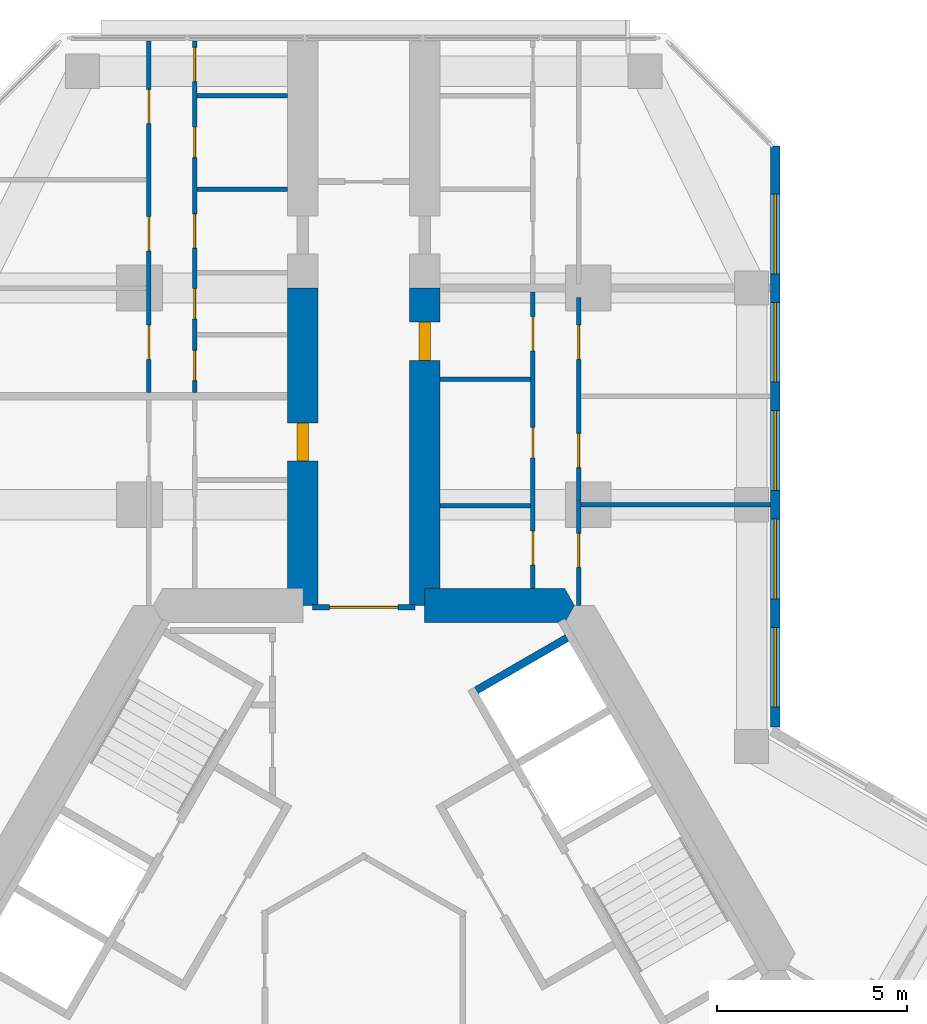
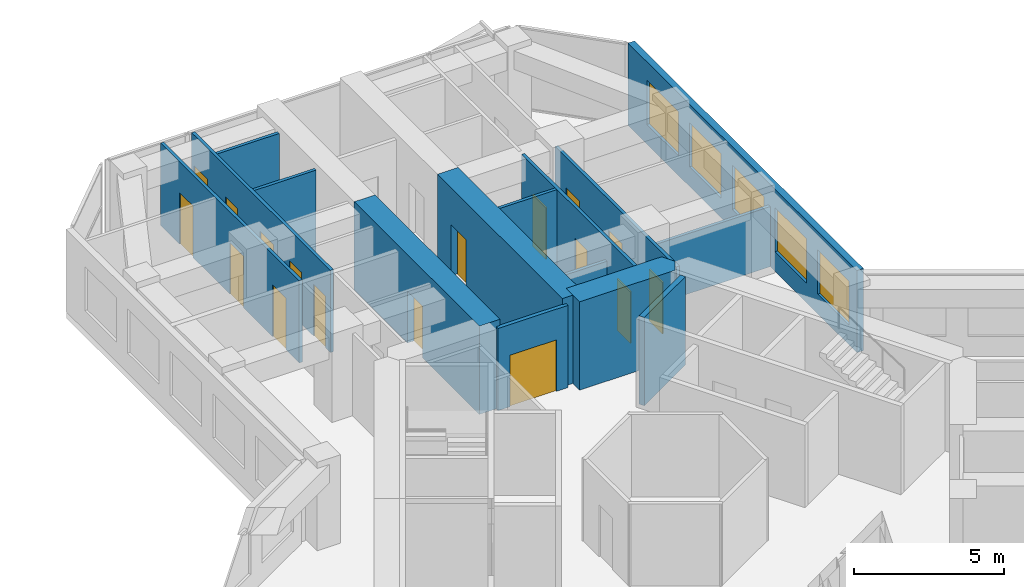
# One storey, part 17 of 19: 17 doors, 15 walls, 5 windows, 22 openings.
"""IFC4 building model written with IfcOpenShell, lengths in metres."""

from ifc_helpers import new_model, si_unit, direction, frame, frame_2d, origin, place, context, subcontext, project, spatial, polyline, rectangle, outline, extrude, material, layer, layer_set, type_object, element, fill, save


model = new_model("IFC4")

# Units and contexts
model_context = context("Model", 3, precision=1e-05, world=origin(), true_north=direction((0.0, 1.0)))
body_context = subcontext(model_context, "Body", "Model", "MODEL_VIEW")
ifc_project = project(units=[si_unit("LENGTHUNIT", "METRE"), si_unit("AREAUNIT", "SQUARE_METRE"), si_unit("VOLUMEUNIT", "CUBIC_METRE"), si_unit("PLANEANGLEUNIT", "RADIAN"), si_unit("MASSUNIT", "GRAM", prefix="KILO")], contexts=[model_context])

# Site, building, storey
site_placement = place(None, origin())
site = spatial("IfcSite", under=ifc_project, at=site_placement, CompositionType="ELEMENT")
building_placement = place(site_placement, origin())
building = spatial("IfcBuilding", under=site, at=building_placement, Name="Kosmar Iwan School Tower", CompositionType="ELEMENT")
storey_placement = place(building_placement, frame((0.0, 0.0, 158.0)))
storey = spatial("IfcBuildingStorey", under=building, at=storey_placement, Name="L39", CompositionType="ELEMENT", Elevation=158.0)

# Wall
ifc_material_1 = material(Name="Concrete C50/60", Category="concrete")
ifc_layer_1 = layer(ifc_material_1, 0.89990234375)
ifc_layer_set_1 = layer_set([ifc_layer_1], Name="Core wall 900")
wall_type_1 = type_object("IfcWallType", Name="Core wall 900", PredefinedType="SHEAR", material=ifc_layer_set_1)
wall_1_placement = place(storey_placement, origin())
element("IfcWall", 1, at=wall_1_placement, inside=storey, type_object=wall_type_1, Name="Core wall F090a", PredefinedType="SHEAR", context=body_context, shape_type="SweptSolid", body=[
    extrude(outline(polyline([(1.60009765625, 9.14990234375), (5.28271484375, 9.14990234375), (5.54248046875, 9.60009765625), (5.28271484375, 10.050048828125), (1.60009765625, 10.050048828125), (1.60009765625, 9.14990234375)])), origin(), (0.0, 0.0, 1.0), 3.60009765625),
])

# Wall, opening, door
ifc_material_2 = material(Name="Concrete C50/60", Category="concrete")
ifc_layer_2 = layer(ifc_material_2, 0.800048828125)
ifc_layer_set_2 = layer_set([ifc_layer_2], Name="Corridor buttress wall 800")
wall_type_2 = type_object("IfcWallType", Name="Corridor buttress wall 800", PredefinedType="SHEAR", material=ifc_layer_set_2)
wall_2_placement = place(storey_placement, frame((-1.60009765625, 9.60009765625, 0.0), z_axis=(0.0, 0.0, 1.0), x_axis=(0.0, 1.0, 0.0)))
wall_2 = element("IfcWall", 2, at=wall_2_placement, inside=storey, type_object=wall_type_2, Name="Corridor wall AL", PredefinedType="SHEAR", context=body_context, shape_type="SweptSolid", body=[
    extrude(rectangle(XDim=8.349853515625, YDim=0.800048828125, at=frame_2d((4.1748046875, 0.0))), origin(), (0.0, 0.0, 1.0), 3.60009765625),
])
opening_1_placement = place(wall_2_placement, frame((3.800048828125, 0.0, 0.0)))
opening_1 = element("IfcOpeningElement", 3, at=opening_1_placement, cuts=wall_2, Name="Opening D1", PredefinedType="OPENING", context=body_context, shape_type="SweptSolid", body=[
    extrude(rectangle(XDim=1.0, YDim=2.10009765625, at=frame_2d((0.5, 1.050048828125))), frame((0.0, 0.412109375, 0.0), z_axis=(0.0, -1.0, 0.0), x_axis=(1.0, 0.0, 0.0)), (0.0, 0.0, 1.0), 0.823974609375),
])
ifc_material_3 = material(Name="Timber fire door in steel frame", Category="steel")
door_type_1 = type_object("IfcDoorType", Name="Flat entrance door 1000x2100", OperationType="SINGLE_SWING_LEFT", PredefinedType="DOOR", material=ifc_material_3)
door_1_placement = place(opening_1_placement, origin())
door_1 = element("IfcDoor", 4, at=door_1_placement, inside=storey, type_object=door_type_1, Name="Flat L39-AL1 entrance door", OperationType="SINGLE_SWING_LEFT", OverallHeight=2.10009765625, OverallWidth=1.0, PredefinedType="DOOR", context=body_context, shape_type="SweptSolid", body=[
    extrude(rectangle(XDim=1.0, YDim=2.10009765625, at=frame_2d((0.5, 1.050048828125))), frame((0.0, 0.14990234375, 0.0), z_axis=(0.0, -1.0, 0.0), x_axis=(1.0, 0.0, 0.0)), (0.0, 0.0, 1.0), 0.300048828125),
])
fill(opening_1, door_1)

wall_3_placement = place(storey_placement, frame((1.60009765625, 9.60009765625, 0.0), z_axis=(0.0, 0.0, 1.0), x_axis=(0.0, 1.0, 0.0)))
wall_3 = element("IfcWall", 5, at=wall_3_placement, inside=storey, type_object=wall_type_2, Name="Corridor wall AR", PredefinedType="SHEAR", context=body_context, shape_type="SweptSolid", body=[
    extrude(rectangle(XDim=8.349853515625, YDim=0.800048828125, at=frame_2d((4.1748046875, 0.0))), origin(), (0.0, 0.0, 1.0), 3.60009765625),
])
opening_2_placement = place(wall_3_placement, frame((6.449951171875, 0.0, 0.0)))
opening_2 = element("IfcOpeningElement", 6, at=opening_2_placement, cuts=wall_3, Name="Opening D1", PredefinedType="OPENING", context=body_context, shape_type="SweptSolid", body=[
    extrude(rectangle(XDim=1.0, YDim=2.10009765625, at=frame_2d((0.5, 1.050048828125))), frame((0.0, 0.412109375, 0.0), z_axis=(0.0, -1.0, 0.0), x_axis=(1.0, 0.0, 0.0)), (0.0, 0.0, 1.0), 0.823974609375),
])
door_2_placement = place(opening_2_placement, origin())
door_2 = element("IfcDoor", 7, at=door_2_placement, inside=storey, type_object=door_type_1, Name="Flat L39-AR1 entrance door", OperationType="SINGLE_SWING_RIGHT", OverallHeight=2.10009765625, OverallWidth=1.0, PredefinedType="DOOR", context=body_context, shape_type="SweptSolid", body=[
    extrude(rectangle(XDim=1.0, YDim=2.10009765625, at=frame_2d((0.5, 1.050048828125))), frame((0.0, 0.14990234375, 0.0), z_axis=(0.0, -1.0, 0.0), x_axis=(1.0, 0.0, 0.0)), (0.0, 0.0, 1.0), 0.300048828125),
])
fill(opening_2, door_2)

ifc_material_4 = material(Name="Steel framed glazed screen", Category="steel")
ifc_layer_3 = layer(ifc_material_4, 0.14990234375)
ifc_layer_set_3 = layer_set([ifc_layer_3], Name="Corridor screen wall 150")
wall_type_3 = type_object("IfcWallType", Name="Corridor screen wall 150", PredefinedType="PARTITIONING", material=ifc_layer_set_3)
wall_4_placement = place(storey_placement, frame((1.35009765625, 9.550048828125, 0.0), z_axis=(0.0, 0.0, 1.0), x_axis=(-1.0, 0.0, 0.0)))
wall_4 = element("IfcWall", 8, at=wall_4_placement, inside=storey, type_object=wall_type_3, Name="Corridor screen A L39", PredefinedType="PARTITIONING", context=body_context, shape_type="SweptSolid", body=[
    extrude(rectangle(XDim=2.7001953125, YDim=0.14990234375, at=frame_2d((1.35009765625, 0.0))), origin(), (0.0, 0.0, 1.0), 3.35009765625),
])
opening_3_placement = place(wall_4_placement, frame((0.449951171875, 0.0, 0.0)))
opening_3 = element("IfcOpeningElement", 9, at=opening_3_placement, cuts=wall_4, Name="Opening D9", PredefinedType="OPENING", context=body_context, shape_type="SweptSolid", body=[
    extrude(rectangle(XDim=1.800048828125, YDim=2.10009765625, at=frame_2d((0.89990234375, 1.050048828125))), frame((0.0, 0.0869140625, 0.0), z_axis=(0.0, -1.0, 0.0), x_axis=(1.0, 0.0, 0.0)), (0.0, 0.0, 1.0), 0.173828125),
])
ifc_material_5 = material(Name="Steel framed glazed smoke door", Category="steel")
door_type_2 = type_object("IfcDoorType", Name="Corridor smoke door pair 1800x2100", OperationType="DOUBLE_DOOR_DOUBLE_SWING", PredefinedType="DOOR", material=ifc_material_5)
door_3_placement = place(opening_3_placement, origin())
door_3 = element("IfcDoor", 10, at=door_3_placement, inside=storey, type_object=door_type_2, Name="Corridor doors A L39", OperationType="DOUBLE_DOOR_DOUBLE_SWING", OverallHeight=2.10009765625, OverallWidth=1.800048828125, PredefinedType="DOOR", context=body_context, shape_type="SweptSolid", body=[
    extrude(rectangle(XDim=1.800048828125, YDim=2.10009765625, at=frame_2d((0.89990234375, 1.050048828125))), frame((0.0, 0.02490234375, 0.0), z_axis=(0.0, -1.0, 0.0), x_axis=(1.0, 0.0, 0.0)), (0.0, 0.0, 1.0), 0.050048828125),
])
fill(opening_3, door_3)

# Wall, openings, doors
ifc_material_6 = material(Name="Gypsum board on steel studs", Category="steel")
ifc_layer_4 = layer(ifc_material_6, 0.1201171875)
ifc_layer_set_4 = layer_set([ifc_layer_4], Name="Dwelling partition 120")
wall_type_4 = type_object("IfcWallType", Name="Dwelling partition 120", PredefinedType="PARTITIONING", material=ifc_layer_set_4)
wall_5_placement = place(storey_placement, frame((-4.449951171875, 15.199951171875, 0.0), z_axis=(0.0, 0.0, 1.0), x_axis=(0.0, 1.0, 0.0)))
wall_5 = element("IfcWall", 11, at=wall_5_placement, inside=storey, type_object=wall_type_4, Name="Partition L39-AL2-W1", PredefinedType="PARTITIONING", context=body_context, shape_type="SweptSolid", body=[
    extrude(rectangle(XDim=9.2451171875, YDim=0.1201171875, at=frame_2d((4.62255859375, 0.0))), origin(), (0.0, 0.0, 1.0), 3.35009765625),
])
opening_4_placement = place(wall_5_placement, frame((0.3125, 0.0, 0.0)))
opening_4 = element("IfcOpeningElement", 12, at=opening_4_placement, cuts=wall_5, Name="Opening D3", PredefinedType="OPENING", context=body_context, shape_type="SweptSolid", body=[
    extrude(rectangle(XDim=0.800048828125, YDim=2.10009765625, at=frame_2d((0.39990234375, 1.050048828125))), frame((0.0, 0.072021484375, 0.0), z_axis=(0.0, -1.0, 0.0), x_axis=(1.0, 0.0, 0.0)), (0.0, 0.0, 1.0), 0.14404296875),
])
opening_5_placement = place(wall_5_placement, frame((1.9375, 0.0, 0.0)))
opening_5 = element("IfcOpeningElement", 13, at=opening_5_placement, cuts=wall_5, Name="Opening D3", PredefinedType="OPENING", context=body_context, shape_type="SweptSolid", body=[
    extrude(rectangle(XDim=0.800048828125, YDim=2.10009765625, at=frame_2d((0.39990234375, 1.050048828125))), frame((0.0, 0.072021484375, 0.0), z_axis=(0.0, -1.0, 0.0), x_axis=(1.0, 0.0, 0.0)), (0.0, 0.0, 1.0), 0.14404296875),
])
opening_6_placement = place(wall_5_placement, frame((3.800048828125, 0.0, 0.0)))
opening_6 = element("IfcOpeningElement", 14, at=opening_6_placement, cuts=wall_5, Name="Opening D2", PredefinedType="OPENING", context=body_context, shape_type="SweptSolid", body=[
    extrude(rectangle(XDim=0.89990234375, YDim=2.10009765625, at=frame_2d((0.449951171875, 1.050048828125))), frame((0.0, 0.072021484375, 0.0), z_axis=(0.0, -1.0, 0.0), x_axis=(1.0, 0.0, 0.0)), (0.0, 0.0, 1.0), 0.14404296875),
])
opening_7_placement = place(wall_5_placement, frame((6.179931640625, 0.0, 0.0)))
opening_7 = element("IfcOpeningElement", 15, at=opening_7_placement, cuts=wall_5, Name="Opening D3", PredefinedType="OPENING", context=body_context, shape_type="SweptSolid", body=[
    extrude(rectangle(XDim=0.800048828125, YDim=2.10009765625, at=frame_2d((0.39990234375, 1.050048828125))), frame((0.0, 0.072021484375, 0.0), z_axis=(0.0, -1.0, 0.0), x_axis=(1.0, 0.0, 0.0)), (0.0, 0.0, 1.0), 0.14404296875),
])
opening_8_placement = place(wall_5_placement, frame((8.179931640625, 0.0, 0.0)))
opening_8 = element("IfcOpeningElement", 16, at=opening_8_placement, cuts=wall_5, Name="Opening D2", PredefinedType="OPENING", context=body_context, shape_type="SweptSolid", body=[
    extrude(rectangle(XDim=0.89990234375, YDim=2.10009765625, at=frame_2d((0.449951171875, 1.050048828125))), frame((0.0, 0.072021484375, 0.0), z_axis=(0.0, -1.0, 0.0), x_axis=(1.0, 0.0, 0.0)), (0.0, 0.0, 1.0), 0.14404296875),
])
ifc_material_7 = material(Name="Timber door in timber frame", Category="wood")
door_type_3 = type_object("IfcDoorType", Name="Internal door 900x2100", OperationType="SINGLE_SWING_LEFT", PredefinedType="DOOR", material=ifc_material_7)
door_4_placement = place(opening_6_placement, origin())
door_4 = element("IfcDoor", 17, at=door_4_placement, inside=storey, type_object=door_type_3, Name="Entrance hall door L39-AL2-S3", OperationType="SINGLE_SWING_LEFT", OverallHeight=2.10009765625, OverallWidth=0.89990234375, PredefinedType="DOOR", context=body_context, shape_type="SweptSolid", body=[
    extrude(rectangle(XDim=0.89990234375, YDim=2.10009765625, at=frame_2d((0.449951171875, 1.050048828125))), frame((0.0, 0.02490234375, 0.0), z_axis=(0.0, -1.0, 0.0), x_axis=(1.0, 0.0, 0.0)), (0.0, 0.0, 1.0), 0.050048828125),
])
fill(opening_6, door_4)
door_5_placement = place(opening_8_placement, origin())
door_5 = element("IfcDoor", 18, at=door_5_placement, inside=storey, type_object=door_type_3, Name="Pantry door L39-AL2-S5", OperationType="SINGLE_SWING_RIGHT", OverallHeight=2.10009765625, OverallWidth=0.89990234375, PredefinedType="DOOR", context=body_context, shape_type="SweptSolid", body=[
    extrude(rectangle(XDim=0.89990234375, YDim=2.10009765625, at=frame_2d((0.449951171875, 1.050048828125))), frame((0.0, 0.02490234375, 0.0), z_axis=(0.0, -1.0, 0.0), x_axis=(1.0, 0.0, 0.0)), (0.0, 0.0, 1.0), 0.050048828125),
])
fill(opening_8, door_5)
ifc_material_8 = material(Name="Timber door in timber frame", Category="wood")
door_type_4 = type_object("IfcDoorType", Name="Sanitary room door 800x2100", OperationType="SINGLE_SWING_LEFT", PredefinedType="DOOR", material=ifc_material_8)
door_6_placement = place(opening_4_placement, origin())
door_6 = element("IfcDoor", 19, at=door_6_placement, inside=storey, type_object=door_type_4, Name="WC door L39-AL2-S1", OperationType="SINGLE_SWING_LEFT", OverallHeight=2.10009765625, OverallWidth=0.800048828125, PredefinedType="DOOR", context=body_context, shape_type="SweptSolid", body=[
    extrude(rectangle(XDim=0.800048828125, YDim=2.10009765625, at=frame_2d((0.39990234375, 1.050048828125))), frame((0.0, 0.02490234375, 0.0), z_axis=(0.0, -1.0, 0.0), x_axis=(1.0, 0.0, 0.0)), (0.0, 0.0, 1.0), 0.050048828125),
])
fill(opening_4, door_6)
door_7_placement = place(opening_5_placement, origin())
door_7 = element("IfcDoor", 20, at=door_7_placement, inside=storey, type_object=door_type_4, Name="Shower room door L39-AL2-S2", OperationType="SINGLE_SWING_LEFT", OverallHeight=2.10009765625, OverallWidth=0.800048828125, PredefinedType="DOOR", context=body_context, shape_type="SweptSolid", body=[
    extrude(rectangle(XDim=0.800048828125, YDim=2.10009765625, at=frame_2d((0.39990234375, 1.050048828125))), frame((0.0, 0.02490234375, 0.0), z_axis=(0.0, -1.0, 0.0), x_axis=(1.0, 0.0, 0.0)), (0.0, 0.0, 1.0), 0.050048828125),
])
fill(opening_5, door_7)
door_8_placement = place(opening_7_placement, origin())
door_8 = element("IfcDoor", 21, at=door_8_placement, inside=storey, type_object=door_type_4, Name="Bathroom door L39-AL2-S4", OperationType="SINGLE_SWING_RIGHT", OverallHeight=2.10009765625, OverallWidth=0.800048828125, PredefinedType="DOOR", context=body_context, shape_type="SweptSolid", body=[
    extrude(rectangle(XDim=0.800048828125, YDim=2.10009765625, at=frame_2d((0.39990234375, 1.050048828125))), frame((0.0, 0.02490234375, 0.0), z_axis=(0.0, -1.0, 0.0), x_axis=(1.0, 0.0, 0.0)), (0.0, 0.0, 1.0), 0.050048828125),
])
fill(opening_7, door_8)

wall_6_placement = place(storey_placement, frame((-5.64990234375, 15.199951171875, 0.0), z_axis=(0.0, 0.0, 1.0), x_axis=(0.0, 1.0, 0.0)))
wall_6 = element("IfcWall", 22, at=wall_6_placement, inside=storey, type_object=wall_type_4, Name="Partition L39-AL2-W2", PredefinedType="PARTITIONING", context=body_context, shape_type="SweptSolid", body=[
    extrude(rectangle(XDim=9.2451171875, YDim=0.1201171875, at=frame_2d((4.62255859375, 0.0))), origin(), (0.0, 0.0, 1.0), 3.35009765625),
])
opening_9_placement = place(wall_6_placement, frame((0.875, 0.0, 0.0)))
opening_9 = element("IfcOpeningElement", 23, at=opening_9_placement, cuts=wall_6, Name="Opening D2", PredefinedType="OPENING", context=body_context, shape_type="SweptSolid", body=[
    extrude(rectangle(XDim=0.89990234375, YDim=2.10009765625, at=frame_2d((0.449951171875, 1.050048828125))), frame((0.0, 0.072021484375, 0.0), z_axis=(0.0, -1.0, 0.0), x_axis=(1.0, 0.0, 0.0)), (0.0, 0.0, 1.0), 0.14404296875),
])
opening_10_placement = place(wall_6_placement, frame((3.72509765625, 0.0, 0.0)))
opening_10 = element("IfcOpeningElement", 24, at=opening_10_placement, cuts=wall_6, Name="Opening D2", PredefinedType="OPENING", context=body_context, shape_type="SweptSolid", body=[
    extrude(rectangle(XDim=0.89990234375, YDim=2.10009765625, at=frame_2d((0.449951171875, 1.050048828125))), frame((0.0, 0.072021484375, 0.0), z_axis=(0.0, -1.0, 0.0), x_axis=(1.0, 0.0, 0.0)), (0.0, 0.0, 1.0), 0.14404296875),
])
opening_11_placement = place(wall_6_placement, frame((7.074951171875, 0.0, 0.0)))
opening_11 = element("IfcOpeningElement", 25, at=opening_11_placement, cuts=wall_6, Name="Opening D2", PredefinedType="OPENING", context=body_context, shape_type="SweptSolid", body=[
    extrude(rectangle(XDim=0.89990234375, YDim=2.10009765625, at=frame_2d((0.449951171875, 1.050048828125))), frame((0.0, 0.072021484375, 0.0), z_axis=(0.0, -1.0, 0.0), x_axis=(1.0, 0.0, 0.0)), (0.0, 0.0, 1.0), 0.14404296875),
])
door_9_placement = place(opening_9_placement, origin())
door_9 = element("IfcDoor", 26, at=door_9_placement, inside=storey, type_object=door_type_3, Name="Bedroom 1 door L39-AL2-F1", OperationType="SINGLE_SWING_RIGHT", OverallHeight=2.10009765625, OverallWidth=0.89990234375, PredefinedType="DOOR", context=body_context, shape_type="SweptSolid", body=[
    extrude(rectangle(XDim=0.89990234375, YDim=2.10009765625, at=frame_2d((0.449951171875, 1.050048828125))), frame((0.0, 0.02490234375, 0.0), z_axis=(0.0, -1.0, 0.0), x_axis=(1.0, 0.0, 0.0)), (0.0, 0.0, 1.0), 0.050048828125),
])
fill(opening_9, door_9)
door_10_placement = place(opening_10_placement, origin())
door_10 = element("IfcDoor", 27, at=door_10_placement, inside=storey, type_object=door_type_3, Name="Family room and kitchen door L39-AL2-F2", OperationType="SINGLE_SWING_LEFT", OverallHeight=2.10009765625, OverallWidth=0.89990234375, PredefinedType="DOOR", context=body_context, shape_type="SweptSolid", body=[
    extrude(rectangle(XDim=0.89990234375, YDim=2.10009765625, at=frame_2d((0.449951171875, 1.050048828125))), frame((0.0, 0.02490234375, 0.0), z_axis=(0.0, -1.0, 0.0), x_axis=(1.0, 0.0, 0.0)), (0.0, 0.0, 1.0), 0.050048828125),
])
fill(opening_10, door_10)
door_11_placement = place(opening_11_placement, origin())
door_11 = element("IfcDoor", 28, at=door_11_placement, inside=storey, type_object=door_type_3, Name="Bedroom 2 door L39-AL2-F3", OperationType="SINGLE_SWING_RIGHT", OverallHeight=2.10009765625, OverallWidth=0.89990234375, PredefinedType="DOOR", context=body_context, shape_type="SweptSolid", body=[
    extrude(rectangle(XDim=0.89990234375, YDim=2.10009765625, at=frame_2d((0.449951171875, 1.050048828125))), frame((0.0, 0.02490234375, 0.0), z_axis=(0.0, -1.0, 0.0), x_axis=(1.0, 0.0, 0.0)), (0.0, 0.0, 1.0), 0.050048828125),
])
fill(opening_11, door_11)

# Walls
for number, where, z_axis, x_axis, name in (
    (29, (-2.0, 20.550048828125, 0.0), (0.0, 0.0, 1.0), (-1.0, 0.0, 0.0), "Partition L39-AL2-Y3"),
    (30, (-2.0, 23.010009765625, 0.0), (0.0, 0.0, 1.0), (-1.0, 0.0, 0.0), "Partition L39-AL2-Y4"),
):
    element("IfcWall", number, at=place(storey_placement, frame(where, z_axis=z_axis, x_axis=x_axis)), inside=storey, type_object=wall_type_4, Name=name, PredefinedType="PARTITIONING", context=body_context, shape_type="SweptSolid", body=[
        extrude(rectangle(XDim=2.389892578125, YDim=0.1201171875, at=frame_2d((1.19482421875, 0.0))), origin(), (0.0, 0.0, 1.0), 3.35009765625),
    ])

# Wall, openings, doors
wall_7_placement = place(storey_placement, frame((4.449951171875, 10.050048828125, 0.0), z_axis=(0.0, 0.0, 1.0), x_axis=(0.0, 1.0, 0.0)))
wall_7 = element("IfcWall", 31, at=wall_7_placement, inside=storey, type_object=wall_type_4, Name="Partition L39-AR1-W1", PredefinedType="PARTITIONING", context=body_context, shape_type="SweptSolid", body=[
    extrude(rectangle(XDim=7.800048828125, YDim=0.1201171875, at=frame_2d((3.89990234375, 0.0))), origin(), (0.0, 0.0, 1.0), 3.35009765625),
])
opening_12_placement = place(wall_7_placement, frame((0.610107421875, 0.0, 0.0)))
opening_12 = element("IfcOpeningElement", 32, at=opening_12_placement, cuts=wall_7, Name="Opening D2", PredefinedType="OPENING", context=body_context, shape_type="SweptSolid", body=[
    extrude(rectangle(XDim=0.89990234375, YDim=2.10009765625, at=frame_2d((0.449951171875, 1.050048828125))), frame((0.0, 0.072021484375, 0.0), z_axis=(0.0, -1.0, 0.0), x_axis=(1.0, 0.0, 0.0)), (0.0, 0.0, 1.0), 0.14404296875),
])
opening_13_placement = place(wall_7_placement, frame((3.43505859375, 0.0, 0.0)))
opening_13 = element("IfcOpeningElement", 33, at=opening_13_placement, cuts=wall_7, Name="Opening D3", PredefinedType="OPENING", context=body_context, shape_type="SweptSolid", body=[
    extrude(rectangle(XDim=0.800048828125, YDim=2.10009765625, at=frame_2d((0.39990234375, 1.050048828125))), frame((0.0, 0.072021484375, 0.0), z_axis=(0.0, -1.0, 0.0), x_axis=(1.0, 0.0, 0.0)), (0.0, 0.0, 1.0), 0.14404296875),
])
opening_14_placement = place(wall_7_placement, frame((6.25, 0.0, 0.0)))
opening_14 = element("IfcOpeningElement", 34, at=opening_14_placement, cuts=wall_7, Name="Opening D2", PredefinedType="OPENING", context=body_context, shape_type="SweptSolid", body=[
    extrude(rectangle(XDim=0.89990234375, YDim=2.10009765625, at=frame_2d((0.449951171875, 1.050048828125))), frame((0.0, 0.072021484375, 0.0), z_axis=(0.0, -1.0, 0.0), x_axis=(1.0, 0.0, 0.0)), (0.0, 0.0, 1.0), 0.14404296875),
])
door_12_placement = place(opening_12_placement, origin())
door_12 = element("IfcDoor", 35, at=door_12_placement, inside=storey, type_object=door_type_3, Name="Pantry door L39-AR1-S1", OperationType="SINGLE_SWING_RIGHT", OverallHeight=2.10009765625, OverallWidth=0.89990234375, PredefinedType="DOOR", context=body_context, shape_type="SweptSolid", body=[
    extrude(rectangle(XDim=0.89990234375, YDim=2.10009765625, at=frame_2d((0.449951171875, 1.050048828125))), frame((0.0, 0.02490234375, 0.0), z_axis=(0.0, -1.0, 0.0), x_axis=(1.0, 0.0, 0.0)), (0.0, 0.0, 1.0), 0.050048828125),
])
fill(opening_12, door_12)
door_13_placement = place(opening_14_placement, origin())
door_13 = element("IfcDoor", 36, at=door_13_placement, inside=storey, type_object=door_type_3, Name="Entrance hall door L39-AR1-S3", OperationType="SINGLE_SWING_RIGHT", OverallHeight=2.10009765625, OverallWidth=0.89990234375, PredefinedType="DOOR", context=body_context, shape_type="SweptSolid", body=[
    extrude(rectangle(XDim=0.89990234375, YDim=2.10009765625, at=frame_2d((0.449951171875, 1.050048828125))), frame((0.0, 0.02490234375, 0.0), z_axis=(0.0, -1.0, 0.0), x_axis=(1.0, 0.0, 0.0)), (0.0, 0.0, 1.0), 0.050048828125),
])
fill(opening_14, door_13)
door_14_placement = place(opening_13_placement, origin())
door_14 = element("IfcDoor", 37, at=door_14_placement, inside=storey, type_object=door_type_4, Name="Bathroom door L39-AR1-S2", OperationType="SINGLE_SWING_LEFT", OverallHeight=2.10009765625, OverallWidth=0.800048828125, PredefinedType="DOOR", context=body_context, shape_type="SweptSolid", body=[
    extrude(rectangle(XDim=0.800048828125, YDim=2.10009765625, at=frame_2d((0.39990234375, 1.050048828125))), frame((0.0, 0.02490234375, 0.0), z_axis=(0.0, -1.0, 0.0), x_axis=(1.0, 0.0, 0.0)), (0.0, 0.0, 1.0), 0.050048828125),
])
fill(opening_13, door_14)

wall_8_placement = place(storey_placement, frame((5.64990234375, 9.60009765625, 0.0), z_axis=(0.0, 0.0, 1.0), x_axis=(0.0, 1.0, 0.0)))
wall_8 = element("IfcWall", 38, at=wall_8_placement, inside=storey, type_object=wall_type_4, Name="Partition L39-AR1-W2", PredefinedType="PARTITIONING", context=body_context, shape_type="SweptSolid", body=[
    extrude(rectangle(XDim=8.099853515625, YDim=0.1201171875, at=frame_2d((4.0498046875, 0.0))), origin(), (0.0, 0.0, 1.0), 3.35009765625),
])
opening_15_placement = place(wall_8_placement, frame((1.0, 0.0, 0.0)))
opening_15 = element("IfcOpeningElement", 39, at=opening_15_placement, cuts=wall_8, Name="Opening D2", PredefinedType="OPENING", context=body_context, shape_type="SweptSolid", body=[
    extrude(rectangle(XDim=0.89990234375, YDim=2.10009765625, at=frame_2d((0.449951171875, 1.050048828125))), frame((0.0, 0.072021484375, 0.0), z_axis=(0.0, -1.0, 0.0), x_axis=(1.0, 0.0, 0.0)), (0.0, 0.0, 1.0), 0.14404296875),
])
opening_16_placement = place(wall_8_placement, frame((3.625, 0.0, 0.0)))
opening_16 = element("IfcOpeningElement", 40, at=opening_16_placement, cuts=wall_8, Name="Opening D2", PredefinedType="OPENING", context=body_context, shape_type="SweptSolid", body=[
    extrude(rectangle(XDim=0.89990234375, YDim=2.10009765625, at=frame_2d((0.449951171875, 1.050048828125))), frame((0.0, 0.072021484375, 0.0), z_axis=(0.0, -1.0, 0.0), x_axis=(1.0, 0.0, 0.0)), (0.0, 0.0, 1.0), 0.14404296875),
])
opening_17_placement = place(wall_8_placement, frame((6.47509765625, 0.0, 0.0)))
opening_17 = element("IfcOpeningElement", 41, at=opening_17_placement, cuts=wall_8, Name="Opening D2", PredefinedType="OPENING", context=body_context, shape_type="SweptSolid", body=[
    extrude(rectangle(XDim=0.89990234375, YDim=2.10009765625, at=frame_2d((0.449951171875, 1.050048828125))), frame((0.0, 0.072021484375, 0.0), z_axis=(0.0, -1.0, 0.0), x_axis=(1.0, 0.0, 0.0)), (0.0, 0.0, 1.0), 0.14404296875),
])
door_15_placement = place(opening_15_placement, origin())
door_15 = element("IfcDoor", 42, at=door_15_placement, inside=storey, type_object=door_type_3, Name="Family room and kitchen door L39-AR1-F1", OperationType="SINGLE_SWING_LEFT", OverallHeight=2.10009765625, OverallWidth=0.89990234375, PredefinedType="DOOR", context=body_context, shape_type="SweptSolid", body=[
    extrude(rectangle(XDim=0.89990234375, YDim=2.10009765625, at=frame_2d((0.449951171875, 1.050048828125))), frame((0.0, 0.02490234375, 0.0), z_axis=(0.0, -1.0, 0.0), x_axis=(1.0, 0.0, 0.0)), (0.0, 0.0, 1.0), 0.050048828125),
])
fill(opening_15, door_15)
door_16_placement = place(opening_16_placement, origin())
door_16 = element("IfcDoor", 43, at=door_16_placement, inside=storey, type_object=door_type_3, Name="Study door L39-AR1-F2", OperationType="SINGLE_SWING_LEFT", OverallHeight=2.10009765625, OverallWidth=0.89990234375, PredefinedType="DOOR", context=body_context, shape_type="SweptSolid", body=[
    extrude(rectangle(XDim=0.89990234375, YDim=2.10009765625, at=frame_2d((0.449951171875, 1.050048828125))), frame((0.0, 0.02490234375, 0.0), z_axis=(0.0, -1.0, 0.0), x_axis=(1.0, 0.0, 0.0)), (0.0, 0.0, 1.0), 0.050048828125),
])
fill(opening_16, door_16)
door_17_placement = place(opening_17_placement, origin())
door_17 = element("IfcDoor", 44, at=door_17_placement, inside=storey, type_object=door_type_3, Name="Bedroom 1 door L39-AR1-F3", OperationType="SINGLE_SWING_RIGHT", OverallHeight=2.10009765625, OverallWidth=0.89990234375, PredefinedType="DOOR", context=body_context, shape_type="SweptSolid", body=[
    extrude(rectangle(XDim=0.89990234375, YDim=2.10009765625, at=frame_2d((0.449951171875, 1.050048828125))), frame((0.0, 0.02490234375, 0.0), z_axis=(0.0, -1.0, 0.0), x_axis=(1.0, 0.0, 0.0)), (0.0, 0.0, 1.0), 0.050048828125),
])
fill(opening_17, door_17)

# Walls
wall_9_placement = place(storey_placement, frame((5.7099609375, 12.25, 0.0), z_axis=(0.0, 0.0, 1.0), x_axis=(1.0, 0.0, 0.0)))
element("IfcWall", 45, at=wall_9_placement, inside=storey, type_object=wall_type_4, Name="Partition L39-AR1-X1", PredefinedType="PARTITIONING", context=body_context, shape_type="SweptSolid", body=[
    extrude(rectangle(XDim=4.989990234375, YDim=0.1201171875, at=frame_2d((2.4951171875, 0.0))), origin(), (0.0, 0.0, 1.0), 2.449951171875),
])
wall_10_placement = place(storey_placement, frame((2.0, 12.219970703125, 0.0), z_axis=(0.0, 0.0, 1.0), x_axis=(1.0, 0.0, 0.0)))
element("IfcWall", 46, at=wall_10_placement, inside=storey, type_object=wall_type_4, Name="Partition L39-AR1-Y1", PredefinedType="PARTITIONING", context=body_context, shape_type="SweptSolid", body=[
    extrude(rectangle(XDim=2.389892578125, YDim=0.1201171875, at=frame_2d((1.19482421875, 0.0))), origin(), (0.0, 0.0, 1.0), 2.449951171875),
])
wall_11_placement = place(storey_placement, frame((2.0, 15.550048828125, 0.0), z_axis=(0.0, 0.0, 1.0), x_axis=(1.0, 0.0, 0.0)))
element("IfcWall", 47, at=wall_11_placement, inside=storey, type_object=wall_type_4, Name="Partition L39-AR1-Y2", PredefinedType="PARTITIONING", context=body_context, shape_type="SweptSolid", body=[
    extrude(rectangle(XDim=2.389892578125, YDim=0.1201171875, at=frame_2d((1.19482421875, 0.0))), origin(), (0.0, 0.0, 1.0), 3.35009765625),
])

# Wall, openings, windows
ifc_material_9 = material(Name="Black aluminium rainscreen on insulated framing", Category="aluminium")
ifc_layer_5 = layer(ifc_material_9, 0.25)
ifc_layer_set_5 = layer_set([ifc_layer_5], Name="External wall rainscreen 250")
wall_type_5 = type_object("IfcWallType", Name="External wall rainscreen 250", PredefinedType="SOLIDWALL", material=ifc_layer_set_5)
wall_12_placement = place(storey_placement, frame((10.824951171875, 6.408935546875, 0.0), z_axis=(0.0, 0.0, 1.0), x_axis=(0.0, 1.0, 0.0)))
wall_12 = element("IfcWall", 48, at=wall_12_placement, inside=storey, type_object=wall_type_5, Name="External wall AR L39", PredefinedType="SOLIDWALL", context=body_context, shape_type="SweptSolid", body=[
    extrude(rectangle(XDim=15.2763671875, YDim=0.25, at=frame_2d((7.63818359375, 0.0))), origin(), (0.0, 0.0, 1.0), 3.35009765625),
])
opening_18_placement = place(wall_12_placement, frame((0.51611328125, 0.0, 0.800048828125)))
opening_18 = element("IfcOpeningElement", 49, at=opening_18_placement, cuts=wall_12, Name="Opening W4", PredefinedType="OPENING", context=body_context, shape_type="SweptSolid", body=[
    extrude(rectangle(XDim=2.10009765625, YDim=1.800048828125, at=frame_2d((1.050048828125, 0.89990234375))), frame((0.0, 0.136962890625, 0.0), z_axis=(0.0, -1.0, 0.0), x_axis=(1.0, 0.0, 0.0)), (0.0, 0.0, 1.0), 0.27392578125),
])
opening_19_placement = place(wall_12_placement, frame((3.365966796875, 0.0, 0.800048828125)))
opening_19 = element("IfcOpeningElement", 50, at=opening_19_placement, cuts=wall_12, Name="Opening W4", PredefinedType="OPENING", context=body_context, shape_type="SweptSolid", body=[
    extrude(rectangle(XDim=2.10009765625, YDim=1.800048828125, at=frame_2d((1.050048828125, 0.89990234375))), frame((0.0, 0.136962890625, 0.0), z_axis=(0.0, -1.0, 0.0), x_axis=(1.0, 0.0, 0.0)), (0.0, 0.0, 1.0), 0.27392578125),
])
opening_20_placement = place(wall_12_placement, frame((6.216064453125, 0.0, 0.800048828125)))
opening_20 = element("IfcOpeningElement", 51, at=opening_20_placement, cuts=wall_12, Name="Opening W4", PredefinedType="OPENING", context=body_context, shape_type="SweptSolid", body=[
    extrude(rectangle(XDim=2.10009765625, YDim=1.800048828125, at=frame_2d((1.050048828125, 0.89990234375))), frame((0.0, 0.136962890625, 0.0), z_axis=(0.0, -1.0, 0.0), x_axis=(1.0, 0.0, 0.0)), (0.0, 0.0, 1.0), 0.27392578125),
])
opening_21_placement = place(wall_12_placement, frame((9.06591796875, 0.0, 0.800048828125)))
opening_21 = element("IfcOpeningElement", 52, at=opening_21_placement, cuts=wall_12, Name="Opening W4", PredefinedType="OPENING", context=body_context, shape_type="SweptSolid", body=[
    extrude(rectangle(XDim=2.10009765625, YDim=1.800048828125, at=frame_2d((1.050048828125, 0.89990234375))), frame((0.0, 0.136962890625, 0.0), z_axis=(0.0, -1.0, 0.0), x_axis=(1.0, 0.0, 0.0)), (0.0, 0.0, 1.0), 0.27392578125),
])
opening_22_placement = place(wall_12_placement, frame((11.916015625, 0.0, 0.800048828125)))
opening_22 = element("IfcOpeningElement", 53, at=opening_22_placement, cuts=wall_12, Name="Opening W4", PredefinedType="OPENING", context=body_context, shape_type="SweptSolid", body=[
    extrude(rectangle(XDim=2.10009765625, YDim=1.800048828125, at=frame_2d((1.050048828125, 0.89990234375))), frame((0.0, 0.136962890625, 0.0), z_axis=(0.0, -1.0, 0.0), x_axis=(1.0, 0.0, 0.0)), (0.0, 0.0, 1.0), 0.27392578125),
])
ifc_material_10 = material(Name="Black aluminium frame with dark triple glazing", Category="aluminium")
window_type = type_object("IfcWindowType", Name="Window 2100x1800", PartitioningType="SINGLE_PANEL", PredefinedType="WINDOW", material=ifc_material_10)
window_1_placement = place(opening_18_placement, origin())
window_1 = element("IfcWindow", 54, at=window_1_placement, inside=storey, type_object=window_type, Name="Window AR L39 -1", OverallHeight=1.800048828125, OverallWidth=2.10009765625, PartitioningType="SINGLE_PANEL", PredefinedType="WINDOW", context=body_context, shape_type="SweptSolid", body=[
    extrude(rectangle(XDim=2.10009765625, YDim=1.800048828125, at=frame_2d((1.050048828125, 0.89990234375))), frame((0.0, 0.030029296875, 0.0), z_axis=(0.0, -1.0, 0.0), x_axis=(1.0, 0.0, 0.0)), (0.0, 0.0, 1.0), 0.06005859375),
])
fill(opening_18, window_1)
window_2_placement = place(opening_19_placement, origin())
window_2 = element("IfcWindow", 55, at=window_2_placement, inside=storey, type_object=window_type, Name="Window AR L39 0", OverallHeight=1.800048828125, OverallWidth=2.10009765625, PartitioningType="SINGLE_PANEL", PredefinedType="WINDOW", context=body_context, shape_type="SweptSolid", body=[
    extrude(rectangle(XDim=2.10009765625, YDim=1.800048828125, at=frame_2d((1.050048828125, 0.89990234375))), frame((0.0, 0.030029296875, 0.0), z_axis=(0.0, -1.0, 0.0), x_axis=(1.0, 0.0, 0.0)), (0.0, 0.0, 1.0), 0.06005859375),
])
fill(opening_19, window_2)
window_3_placement = place(opening_20_placement, origin())
window_3 = element("IfcWindow", 56, at=window_3_placement, inside=storey, type_object=window_type, Name="Window AR L39 1", OverallHeight=1.800048828125, OverallWidth=2.10009765625, PartitioningType="SINGLE_PANEL", PredefinedType="WINDOW", context=body_context, shape_type="SweptSolid", body=[
    extrude(rectangle(XDim=2.10009765625, YDim=1.800048828125, at=frame_2d((1.050048828125, 0.89990234375))), frame((0.0, 0.030029296875, 0.0), z_axis=(0.0, -1.0, 0.0), x_axis=(1.0, 0.0, 0.0)), (0.0, 0.0, 1.0), 0.06005859375),
])
fill(opening_20, window_3)
window_4_placement = place(opening_21_placement, origin())
window_4 = element("IfcWindow", 57, at=window_4_placement, inside=storey, type_object=window_type, Name="Window AR L39 2", OverallHeight=1.800048828125, OverallWidth=2.10009765625, PartitioningType="SINGLE_PANEL", PredefinedType="WINDOW", context=body_context, shape_type="SweptSolid", body=[
    extrude(rectangle(XDim=2.10009765625, YDim=1.800048828125, at=frame_2d((1.050048828125, 0.89990234375))), frame((0.0, 0.030029296875, 0.0), z_axis=(0.0, -1.0, 0.0), x_axis=(1.0, 0.0, 0.0)), (0.0, 0.0, 1.0), 0.06005859375),
])
fill(opening_21, window_4)
window_5_placement = place(opening_22_placement, origin())
window_5 = element("IfcWindow", 58, at=window_5_placement, inside=storey, type_object=window_type, Name="Window AR L39 3", OverallHeight=1.800048828125, OverallWidth=2.10009765625, PartitioningType="SINGLE_PANEL", PredefinedType="WINDOW", context=body_context, shape_type="SweptSolid", body=[
    extrude(rectangle(XDim=2.10009765625, YDim=1.800048828125, at=frame_2d((1.050048828125, 0.89990234375))), frame((0.0, 0.030029296875, 0.0), z_axis=(0.0, -1.0, 0.0), x_axis=(1.0, 0.0, 0.0)), (0.0, 0.0, 1.0), 0.06005859375),
])
fill(opening_22, window_5)

# Wall
ifc_material_11 = material(Name="Concrete C50/60", Category="concrete")
ifc_layer_6 = layer(ifc_material_11, 0.199951171875)
ifc_layer_set_6 = layer_set([ifc_layer_6], Name="Lift shaft wall 200")
wall_type_6 = type_object("IfcWallType", Name="Lift shaft wall 200", PredefinedType="SHEAR", material=ifc_layer_set_6)
wall_13_placement = place(storey_placement, frame((2.962646484375, 7.368408203125, 0.0), z_axis=(0.0, 0.0, 1.0), x_axis=(0.866027397988, 0.499996545922, 0.0)))
element("IfcWall", 59, at=wall_13_placement, inside=storey, type_object=wall_type_6, Name="Lift shaft wall AC 2", PredefinedType="SHEAR", context=body_context, shape_type="SweptSolid", body=[
    extrude(rectangle(XDim=2.75, YDim=0.199951171875, at=frame_2d((1.375, 0.0))), origin(), (0.0, 0.0, 1.0), 3.60009765625),
])

save(model, "model.ifc")
